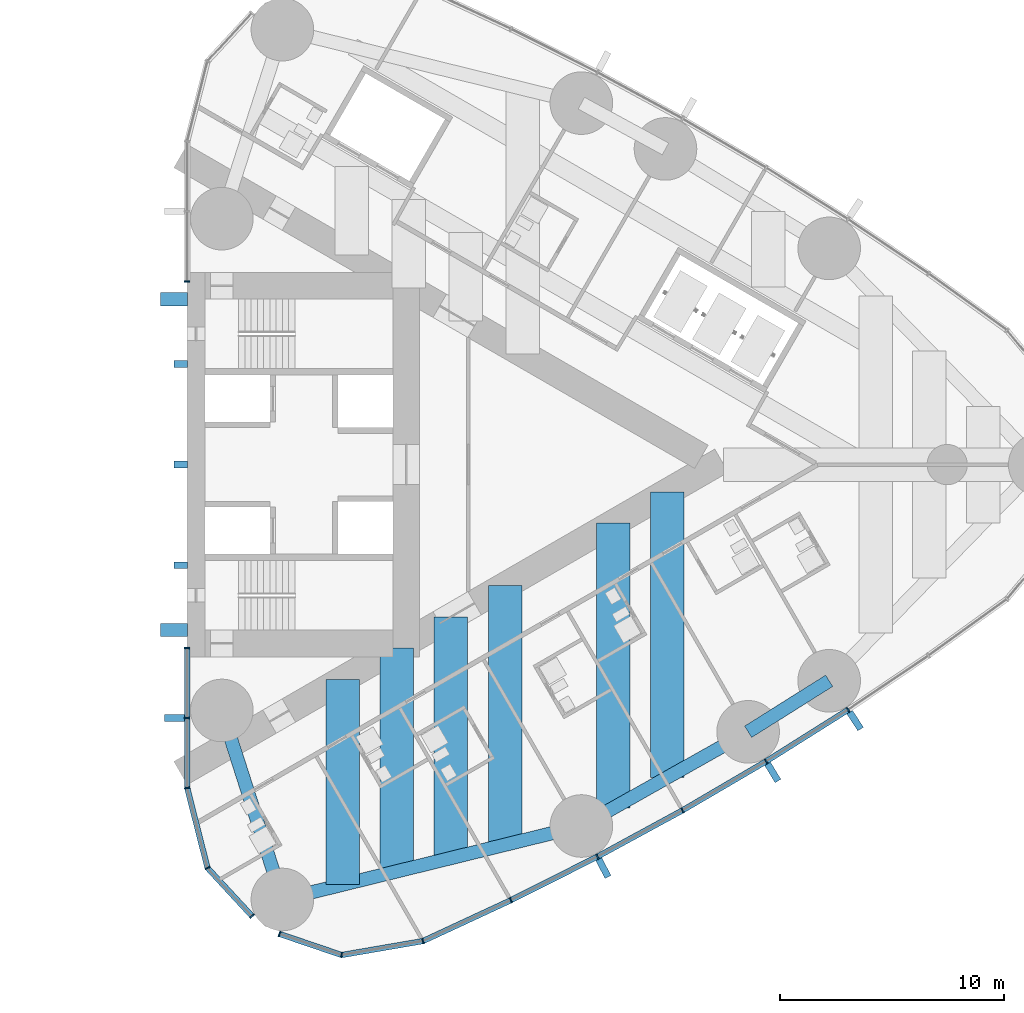
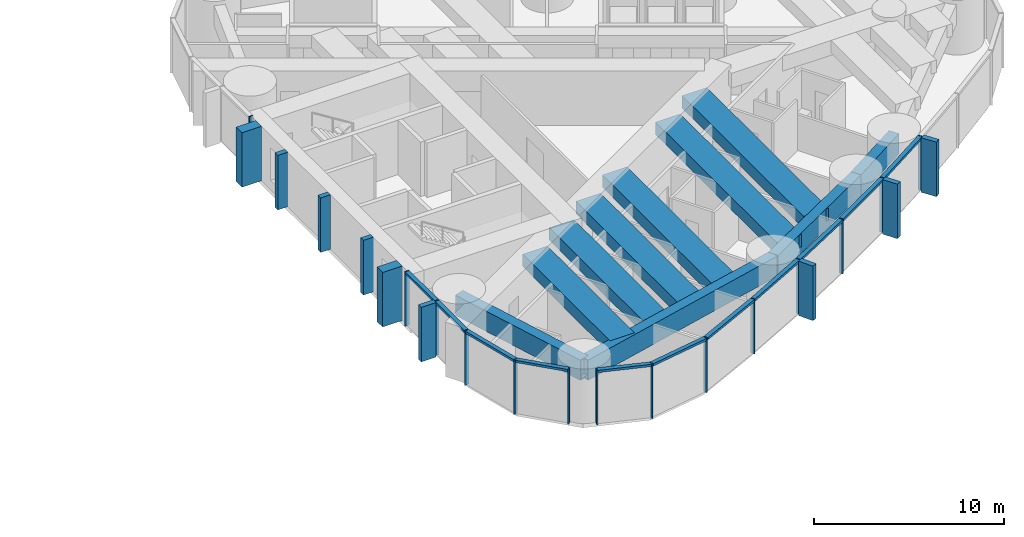
# One storey, part 6 of 21: 34 members, 10 beams, 3 elements without a shape of their own.
"""IFC4 building model written with IfcOpenShell, lengths in metres."""

from ifc_helpers import new_model, si_unit, direction, frame, origin, origin_2d, place, context, subcontext, project, spatial, rectangle, hollow_rectangle, extrude, material, material_profile, profile_set, type_object, element, aggregate, save


model = new_model("IFC4")

# Units and contexts
model_context = context("Model", 3, precision=1e-05, world=origin(), true_north=direction((0.0, 1.0)))
body_context = subcontext(model_context, "Body", "Model", "MODEL_VIEW")
ifc_project = project(units=[si_unit("LENGTHUNIT", "METRE"), si_unit("AREAUNIT", "SQUARE_METRE"), si_unit("VOLUMEUNIT", "CUBIC_METRE"), si_unit("PLANEANGLEUNIT", "RADIAN"), si_unit("MASSUNIT", "GRAM", prefix="KILO")], contexts=[model_context])

# Site, building, storey
site_placement = place(None, origin())
site = spatial("IfcSite", under=ifc_project, at=site_placement, CompositionType="ELEMENT")
building_placement = place(site_placement, origin())
building = spatial("IfcBuilding", under=site, at=building_placement, Name="Lancet Gate Hotel", CompositionType="ELEMENT")
storey_placement = place(building_placement, frame((0.0, 0.0, 156.300048828125)))
storey = spatial("IfcBuildingStorey", under=building, at=storey_placement, Name="L41", CompositionType="ELEMENT", Elevation=156.300048828125)

# Curtain wall, members
ifc_material_1 = material(Name="Aluminium curtain wall", Category="aluminium")
curtain_wall_type = type_object("IfcCurtainWallType", Name="Tower unitised curtain wall", PredefinedType="USERDEFINED", material=ifc_material_1)
curtain_wall_1_placement = place(storey_placement, origin())
curtain_wall_1 = element("IfcCurtainWall", 1, at=curtain_wall_1_placement, inside=storey, type_object=curtain_wall_type, Name="T2 L41 curtain wall 1", ObjectType="UNITISED CURTAIN WALL", PredefinedType="USERDEFINED")
ifc_material_2 = material(Name="Aluminium mullion", Category="aluminium")
ifc_material_profile_1 = material_profile(ifc_material_2, rectangle(XDim=0.06494140625, YDim=0.25, at=origin_2d()), Name="MULLION 65x250")
ifc_profile_set_1 = profile_set([ifc_material_profile_1], Name="Aluminium mullion")
member_type_1 = type_object("IfcMemberType", Name="Aluminium mullion 65x250", PredefinedType="MULLION", material=ifc_profile_set_1)
member_1_placement = place(storey_placement, frame((27.5, -8.199951171875, 0.0), z_axis=(0.0, 0.0, 1.0), x_axis=(0.0, -1.0, 0.0)))
member_1 = element("IfcMember", 2, at=member_1_placement, type_object=member_type_1, Name="T2 L41 curtain wall 1 mullion 1", PredefinedType="MULLION", context=body_context, shape_type="SweptSolid", body=[
    extrude(rectangle(XDim=0.06494140625, YDim=0.25, at=origin_2d()), origin(), (0.0, 0.0, 1.0), 3.5),
])
member_2_placement = place(storey_placement, frame((27.5, -11.332763671875, 0.0), z_axis=(0.0, 0.0, 1.0), x_axis=(0.0, -1.0, 0.0)))
member_2 = element("IfcMember", 3, at=member_2_placement, type_object=member_type_1, Name="T2 L41 curtain wall 1 mullion 2", PredefinedType="MULLION", context=body_context, shape_type="SweptSolid", body=[
    extrude(rectangle(XDim=0.06494140625, YDim=0.25, at=origin_2d()), origin(), (0.0, 0.0, 1.0), 3.5),
])
member_3_placement = place(storey_placement, frame((27.5, -14.465576171875, 0.0), z_axis=(0.0, 0.0, 1.0), x_axis=(0.134206524909, -0.990953383703, 0.0)))
member_3 = element("IfcMember", 4, at=member_3_placement, type_object=member_type_1, Name="T2 L41 curtain wall 1 mullion 3", PredefinedType="MULLION", context=body_context, shape_type="SweptSolid", body=[
    extrude(rectangle(XDim=0.06494140625, YDim=0.25, at=origin_2d()), origin(), (0.0, 0.0, 1.0), 3.5),
])
member_4_placement = place(storey_placement, frame((28.408935546875, -18.04443359375, 0.0), z_axis=(0.0, 0.0, 1.0), x_axis=(0.451505925065, -0.892268120932, 0.0)))
member_4 = element("IfcMember", 5, at=member_4_placement, type_object=member_type_1, Name="T2 L41 curtain wall 1 mullion 4", PredefinedType="MULLION", context=body_context, shape_type="SweptSolid", body=[
    extrude(rectangle(XDim=0.06494140625, YDim=0.25, at=origin_2d()), origin(), (0.0, 0.0, 1.0), 3.5),
])
member_5_placement = place(storey_placement, frame((30.40185546875, -20.199951171875, 0.0), z_axis=(0.0, 0.0, 1.0), x_axis=(0.67883123083, -0.734294327943, 0.0)))
member_5 = element("IfcMember", 6, at=member_5_placement, type_object=member_type_1, Name="T2 L41 curtain wall 1 mullion 5", PredefinedType="MULLION", context=body_context, shape_type="SweptSolid", body=[
    extrude(rectangle(XDim=0.06494140625, YDim=0.25, at=origin_2d()), origin(), (0.0, 0.0, 1.0), 3.5),
])

curtain_wall_2_placement = place(storey_placement, origin())
curtain_wall_2 = element("IfcCurtainWall", 7, at=curtain_wall_2_placement, inside=storey, type_object=curtain_wall_type, Name="T2 L41 curtain wall 2", ObjectType="UNITISED CURTAIN WALL", PredefinedType="USERDEFINED")
member_6_placement = place(storey_placement, frame((31.631591796875, -20.998779296875, 0.0), z_axis=(0.0, 0.0, 1.0), x_axis=(0.946952368511, -0.321373943827, 0.0)))
member_6 = element("IfcMember", 8, at=member_6_placement, type_object=member_type_1, Name="T2 L41 curtain wall 2 mullion 1", PredefinedType="MULLION", context=body_context, shape_type="SweptSolid", body=[
    extrude(rectangle(XDim=0.06494140625, YDim=0.25, at=origin_2d()), origin(), (0.0, 0.0, 1.0), 3.5),
])
member_7_placement = place(storey_placement, frame((34.412109375, -21.9423828125, 0.0), z_axis=(0.0, 0.0, 1.0), x_axis=(0.99877556888, -0.049470829879, 0.0)))
member_7 = element("IfcMember", 9, at=member_7_placement, type_object=member_type_1, Name="T2 L41 curtain wall 2 mullion 2", PredefinedType="MULLION", context=body_context, shape_type="SweptSolid", body=[
    extrude(rectangle(XDim=0.06494140625, YDim=0.25, at=origin_2d()), origin(), (0.0, 0.0, 1.0), 3.5),
])
member_8_placement = place(storey_placement, frame((38.05126953125, -21.31689453125, 0.0), z_axis=(0.0, 0.0, 1.0), x_axis=(0.951355493327, 0.308095318555, 0.0)))
member_8 = element("IfcMember", 10, at=member_8_placement, type_object=member_type_1, Name="T2 L41 curtain wall 2 mullion 3", PredefinedType="MULLION", context=body_context, shape_type="SweptSolid", body=[
    extrude(rectangle(XDim=0.06494140625, YDim=0.25, at=origin_2d()), origin(), (0.0, 0.0, 1.0), 3.5),
])
member_9_placement = place(storey_placement, frame((41.98193359375, -19.490966796875, 0.0), z_axis=(0.0, 0.0, 1.0), x_axis=(0.900141333422, 0.435597956681, 0.0)))
member_9 = element("IfcMember", 11, at=member_9_placement, type_object=member_type_1, Name="T2 L41 curtain wall 2 mullion 4", PredefinedType="MULLION", context=body_context, shape_type="SweptSolid", body=[
    extrude(rectangle(XDim=0.06494140625, YDim=0.25, at=origin_2d()), origin(), (0.0, 0.0, 1.0), 3.5),
])
member_10_placement = place(storey_placement, frame((45.8525390625, -17.54150390625, 0.0), z_axis=(0.0, 0.0, 1.0), x_axis=(0.885877049989, 0.463920092584, 0.0)))
member_10 = element("IfcMember", 12, at=member_10_placement, type_object=member_type_1, Name="T2 L41 curtain wall 2 mullion 5", PredefinedType="MULLION", context=body_context, shape_type="SweptSolid", body=[
    extrude(rectangle(XDim=0.06494140625, YDim=0.25, at=origin_2d()), origin(), (0.0, 0.0, 1.0), 3.5),
])
member_11_placement = place(storey_placement, frame((49.65966796875, -15.47021484375, 0.0), z_axis=(0.0, 0.0, 1.0), x_axis=(0.870721916932, 0.491775704336, 0.0)))
member_11 = element("IfcMember", 13, at=member_11_placement, type_object=member_type_1, Name="T2 L41 curtain wall 2 mullion 6", PredefinedType="MULLION", context=body_context, shape_type="SweptSolid", body=[
    extrude(rectangle(XDim=0.06494140625, YDim=0.25, at=origin_2d()), origin(), (0.0, 0.0, 1.0), 3.5),
])
member_12_placement = place(storey_placement, frame((53.39892578125, -13.279541015625, 0.0), z_axis=(0.0, 0.0, 1.0), x_axis=(0.854691174453, 0.519136779965, 0.0)))
member_12 = element("IfcMember", 14, at=member_12_placement, type_object=member_type_1, Name="T2 L41 curtain wall 2 mullion 7", PredefinedType="MULLION", context=body_context, shape_type="SweptSolid", body=[
    extrude(rectangle(XDim=0.06494140625, YDim=0.25, at=origin_2d()), origin(), (0.0, 0.0, 1.0), 3.5),
])
member_13_placement = place(storey_placement, frame((57.067138671875, -10.970947265625, 0.0), z_axis=(0.0, 0.0, 1.0), x_axis=(0.837800943278, 0.545975804815, 0.0)))
member_13 = element("IfcMember", 15, at=member_13_placement, type_object=member_type_1, Name="T2 L41 curtain wall 2 mullion 8", PredefinedType="MULLION", context=body_context, shape_type="SweptSolid", body=[
    extrude(rectangle(XDim=0.06494140625, YDim=0.25, at=origin_2d()), origin(), (0.0, 0.0, 1.0), 3.5),
])

# Curtain wall, member
curtain_wall_3_placement = place(storey_placement, origin())
curtain_wall_3 = element("IfcCurtainWall", 16, at=curtain_wall_3_placement, inside=storey, type_object=curtain_wall_type, Name="T2 L41 curtain wall 4", ObjectType="UNITISED CURTAIN WALL", PredefinedType="USERDEFINED")
member_14_placement = place(storey_placement, frame((27.5, 8.199951171875, 0.0), z_axis=(0.0, 0.0, 1.0), x_axis=(0.0, -1.0, 0.0)))
member_14 = element("IfcMember", 17, at=member_14_placement, type_object=member_type_1, Name="T2 L41 curtain wall 4 mullion 5", PredefinedType="MULLION", context=body_context, shape_type="SweptSolid", body=[
    extrude(rectangle(XDim=0.06494140625, YDim=0.25, at=origin_2d()), origin(), (0.0, 0.0, 1.0), 3.5),
])
aggregate(curtain_wall_3, [member_14])

# Member
ifc_material_3 = material(Name="Aluminium transom", Category="aluminium")
ifc_material_profile_2 = material_profile(ifc_material_3, rectangle(XDim=0.25, YDim=0.14990234375, at=origin_2d()), Name="TRANSOM 250x150")
ifc_profile_set_2 = profile_set([ifc_material_profile_2], Name="Aluminium transom")
member_type_2 = type_object("IfcMemberType", Name="Aluminium transom 250x150", PredefinedType="USERDEFINED", material=ifc_profile_set_2)
member_15_placement = place(storey_placement, frame((27.5, -8.232421875, 3.425048828125), z_axis=(0.0, -1.0, 0.0), x_axis=(1.0, 0.0, 0.0)))
member_15 = element("IfcMember", 18, at=member_15_placement, type_object=member_type_2, Name="T2 L41 curtain wall 1 transom 1", ObjectType="TRANSOM", PredefinedType="USERDEFINED", context=body_context, shape_type="SweptSolid", body=[
    extrude(rectangle(XDim=0.25, YDim=0.14990234375, at=origin_2d()), origin(), (0.0, 0.0, 1.0), 3.06787109375),
])

member_16_placement = place(storey_placement, frame((27.5, -11.365234375, 3.425048828125), z_axis=(0.0, -1.0, 0.0), x_axis=(1.0, 0.0, 0.0)))
member_16 = element("IfcMember", 19, at=member_16_placement, type_object=member_type_2, Name="T2 L41 curtain wall 1 transom 2", ObjectType="TRANSOM", PredefinedType="USERDEFINED", context=body_context, shape_type="SweptSolid", body=[
    extrude(rectangle(XDim=0.25, YDim=0.14990234375, at=origin_2d()), origin(), (0.0, 0.0, 1.0), 3.06787109375),
])

member_17_placement = place(storey_placement, frame((27.508056640625, -14.4970703125, 3.425048828125), z_axis=(0.246128756616, -0.969237140831, 0.0), x_axis=(0.969237140831, 0.246128756616, 0.0)))
member_17 = element("IfcMember", 20, at=member_17_placement, type_object=member_type_2, Name="T2 L41 curtain wall 1 transom 3", ObjectType="TRANSOM", PredefinedType="USERDEFINED", context=body_context, shape_type="SweptSolid", body=[
    extrude(rectangle(XDim=0.25, YDim=0.14990234375, at=origin_2d()), origin(), (0.0, 0.0, 1.0), 3.62744140625),
])

member_18_placement = place(storey_placement, frame((28.43115234375, -18.068359375, 3.425048828125), z_axis=(0.678792146129, -0.734330458549, 0.0), x_axis=(0.734330458549, 0.678792146129, 0.0)))
member_18 = element("IfcMember", 21, at=member_18_placement, type_object=member_type_2, Name="T2 L41 curtain wall 1 transom 4", ObjectType="TRANSOM", PredefinedType="USERDEFINED", context=body_context, shape_type="SweptSolid", body=[
    extrude(rectangle(XDim=0.25, YDim=0.14990234375, at=origin_2d()), origin(), (0.0, 0.0, 1.0), 2.87060546875),
])

member_19_placement = place(storey_placement, frame((31.662353515625, -21.00927734375, 3.425048828125), z_axis=(0.946943122832, -0.321401185625, 0.0), x_axis=(0.321401185625, 0.946943122832, 0.0)))
member_19 = element("IfcMember", 22, at=member_19_placement, type_object=member_type_2, Name="T2 L41 curtain wall 2 transom 1", ObjectType="TRANSOM", PredefinedType="USERDEFINED", context=body_context, shape_type="SweptSolid", body=[
    extrude(rectangle(XDim=0.25, YDim=0.14990234375, at=origin_2d()), origin(), (0.0, 0.0, 1.0), 2.871337890625),
])

member_20_placement = place(storey_placement, frame((34.444091796875, -21.93701171875, 3.425048828125), z_axis=(0.985536950873, 0.169460669373, 0.0), x_axis=(-0.169460669373, 0.985536950873, 0.0)))
member_20 = element("IfcMember", 23, at=member_20_placement, type_object=member_type_2, Name="T2 L41 curtain wall 2 transom 2", ObjectType="TRANSOM", PredefinedType="USERDEFINED", context=body_context, shape_type="SweptSolid", body=[
    extrude(rectangle(XDim=0.25, YDim=0.14990234375, at=origin_2d()), origin(), (0.0, 0.0, 1.0), 3.627685546875),
])

member_21_placement = place(storey_placement, frame((38.080810546875, -21.30322265625, 3.425048828125), z_axis=(0.906913768492, 0.421316290357, 0.0), x_axis=(-0.421316290357, 0.906913768492, 0.0)))
member_21 = element("IfcMember", 24, at=member_21_placement, type_object=member_type_2, Name="T2 L41 curtain wall 2 transom 3", ObjectType="TRANSOM", PredefinedType="USERDEFINED", context=body_context, shape_type="SweptSolid", body=[
    extrude(rectangle(XDim=0.25, YDim=0.14990234375, at=origin_2d()), origin(), (0.0, 0.0, 1.0), 4.26904296875),
])

member_22_placement = place(storey_placement, frame((42.010986328125, -19.476318359375, 3.425048828125), z_axis=(0.893130969207, 0.449796700571, 0.0), x_axis=(-0.449796700571, 0.893130969207, 0.0)))
member_22 = element("IfcMember", 25, at=member_22_placement, type_object=member_type_2, Name="T2 L41 curtain wall 2 transom 4", ObjectType="TRANSOM", PredefinedType="USERDEFINED", context=body_context, shape_type="SweptSolid", body=[
    extrude(rectangle(XDim=0.25, YDim=0.14990234375, at=origin_2d()), origin(), (0.0, 0.0, 1.0), 4.26904296875),
])

member_23_placement = place(storey_placement, frame((45.881103515625, -17.526123046875, 3.425048828125), z_axis=(0.878404302735, 0.477918278513, 0.0), x_axis=(-0.477918278513, 0.878404302735, 0.0)))
member_23 = element("IfcMember", 26, at=member_23_placement, type_object=member_type_2, Name="T2 L41 curtain wall 2 transom 5", ObjectType="TRANSOM", PredefinedType="USERDEFINED", context=body_context, shape_type="SweptSolid", body=[
    extrude(rectangle(XDim=0.25, YDim=0.14990234375, at=origin_2d()), origin(), (0.0, 0.0, 1.0), 4.26904296875),
])

member_24_placement = place(storey_placement, frame((49.687744140625, -15.453857421875, 3.425048828125), z_axis=(0.862825279032, 0.505502262966, 0.0), x_axis=(-0.505502262966, 0.862825279032, 0.0)))
member_24 = element("IfcMember", 27, at=member_24_placement, type_object=member_type_2, Name="T2 L41 curtain wall 2 transom 6", ObjectType="TRANSOM", PredefinedType="USERDEFINED", context=body_context, shape_type="SweptSolid", body=[
    extrude(rectangle(XDim=0.25, YDim=0.14990234375, at=origin_2d()), origin(), (0.0, 0.0, 1.0), 4.26904296875),
])

member_25_placement = place(storey_placement, frame((53.426513671875, -13.26220703125, 3.425048828125), z_axis=(0.846333101657, 0.532653997488, 0.0), x_axis=(-0.532653997488, 0.846333101657, 0.0)))
member_25 = element("IfcMember", 28, at=member_25_placement, type_object=member_type_2, Name="T2 L41 curtain wall 2 transom 7", ObjectType="TRANSOM", PredefinedType="USERDEFINED", context=body_context, shape_type="SweptSolid", body=[
    extrude(rectangle(XDim=0.25, YDim=0.14990234375, at=origin_2d()), origin(), (0.0, 0.0, 1.0), 4.26904296875),
])

# Beams
ifc_material_4 = material(Name="Steel S460QL", Category="steel")
ifc_material_profile_3 = material_profile(ifc_material_4, hollow_rectangle(XDim=0.60009765625, YDim=1.300048828125, WallThickness=0.050048828125, at=origin_2d()), Name="BOX 1300x600x50")
ifc_profile_set_3 = profile_set([ifc_material_profile_3], Name="Steel S460QL")
beam_type_1 = type_object("IfcBeamType", Name="Edge beam BOX 1300x600x50", PredefinedType="SPANDREL", material=ifc_profile_set_3)
beam_1_placement = place(storey_placement, frame((31.759765625, -19.455810546875, 2.599853515625), z_axis=(0.971093253227, 0.238700426344, 0.0), x_axis=(-0.238700426344, 0.971093253227, 0.0)))
element("IfcBeam", 29, at=beam_1_placement, inside=storey, type_object=beam_type_1, Name="T2 edge beam EB2 L41", PredefinedType="SPANDREL", context=body_context, shape_type="SweptSolid", body=[
    extrude(hollow_rectangle(XDim=0.60009765625, YDim=1.300048828125, WallThickness=0.050048828125, at=origin_2d()), origin(), (0.0, 0.0, 1.0), 13.77197265625),
])
beam_2_placement = place(storey_placement, frame((45.133544921875, -16.16845703125, 2.599853515625), z_axis=(0.870721990329, 0.491775574381, 0.0), x_axis=(-0.491775574381, 0.870721990329, 0.0)))
element("IfcBeam", 30, at=beam_2_placement, inside=storey, type_object=beam_type_1, Name="T2 edge beam EB2 L41", PredefinedType="SPANDREL", context=body_context, shape_type="SweptSolid", body=[
    extrude(hollow_rectangle(XDim=0.60009765625, YDim=1.300048828125, WallThickness=0.050048828125, at=origin_2d()), origin(), (0.0, 0.0, 1.0), 8.568603515625),
])
beam_3_placement = place(storey_placement, frame((52.594482421875, -11.95458984375, 2.599853515625), z_axis=(0.846348902569, 0.532628890617, 0.0), x_axis=(-0.532628890617, 0.846348902569, 0.0)))
element("IfcBeam", 31, at=beam_3_placement, inside=storey, type_object=beam_type_1, Name="T2 edge beam EB2 L41", PredefinedType="SPANDREL", context=body_context, shape_type="SweptSolid", body=[
    extrude(hollow_rectangle(XDim=0.60009765625, YDim=1.300048828125, WallThickness=0.050048828125, at=origin_2d()), origin(), (0.0, 0.0, 1.0), 4.284912109375),
])
beam_4_placement = place(storey_placement, frame((31.759765625, -19.455810546875, 2.599853515625), z_axis=(-0.305169772986, 0.952297962644, 0.0), x_axis=(-0.952297962644, -0.305169772986, 0.0)))
element("IfcBeam", 32, at=beam_4_placement, inside=storey, type_object=beam_type_1, Name="T2 edge beam EB2 L41", PredefinedType="SPANDREL", context=body_context, shape_type="SweptSolid", body=[
    extrude(hollow_rectangle(XDim=0.60009765625, YDim=1.300048828125, WallThickness=0.050048828125, at=origin_2d()), origin(), (0.0, 0.0, 1.0), 8.87939453125),
])

# Members
ifc_material_5 = material(Name="Concrete C60/75", Category="concrete")
ifc_material_profile_4 = material_profile(ifc_material_5, rectangle(XDim=0.60009765625, YDim=1.199951171875, at=origin_2d()), Name="FIN 600x1200")
ifc_profile_set_4 = profile_set([ifc_material_profile_4], Name="Concrete C60/75")
member_type_3 = type_object("IfcMemberType", Name="Exposed concrete buttress pilaster 600x1200", PredefinedType="USERDEFINED", material=ifc_profile_set_4)
for number, where, z_axis, x_axis, name in (
    (33, (26.909912109375, -7.39990234375, 0.0), (0.0, 0.0, 1.0), (0.0, 1.0, 0.0), "T2 buttress pilaster S L41"),
    (34, (26.909912109375, 7.39990234375, 0.0), (0.0, 0.0, 1.0), (0.0, 1.0, 0.0), "T2 buttress pilaster N L41"),
):
    element("IfcMember", number, at=place(storey_placement, frame(where, z_axis=z_axis, x_axis=x_axis)), inside=storey, type_object=member_type_3, Name=name, ObjectType="FIN", PredefinedType="USERDEFINED", context=body_context, shape_type="SweptSolid", body=[
        extrude(rectangle(XDim=0.60009765625, YDim=1.199951171875, at=origin_2d()), origin(), (0.0, 0.0, 1.0), 3.5),
    ])

# Member
ifc_material_6 = material(Name="Precast concrete C50/60", Category="concrete")
ifc_material_profile_5 = material_profile(ifc_material_6, rectangle(XDim=0.300048828125, YDim=0.89990234375, at=origin_2d()), Name="FIN 300x900")
ifc_profile_set_5 = profile_set([ifc_material_profile_5], Name="Precast concrete C50/60")
member_type_4 = type_object("IfcMemberType", Name="Exposed concrete fin 300x900", PredefinedType="USERDEFINED", material=ifc_profile_set_5)
member_26_placement = place(storey_placement, frame((26.925048828125, -11.332763671875, 0.0), z_axis=(0.0, 0.0, 1.0), x_axis=(0.0, -1.0, 0.0)))
member_26 = element("IfcMember", 35, at=member_26_placement, type_object=member_type_4, Name="T2 L41 curtain wall 1 fin 2", ObjectType="FIN", PredefinedType="USERDEFINED", context=body_context, shape_type="SweptSolid", body=[
    extrude(rectangle(XDim=0.300048828125, YDim=0.89990234375, at=origin_2d()), origin(), (0.0, 0.0, 1.0), 3.5),
])

aggregate(curtain_wall_1, [member_1, member_2, member_26, member_3, member_4, member_5, member_15, member_16, member_17, member_18])

member_27_placement = place(storey_placement, frame((46.119384765625, -18.051025390625, 0.0), z_axis=(0.0, 0.0, 1.0), x_axis=(0.885877049989, 0.463920092584, 0.0)))
member_27 = element("IfcMember", 36, at=member_27_placement, type_object=member_type_4, Name="T2 L41 curtain wall 2 fin 5", ObjectType="FIN", PredefinedType="USERDEFINED", context=body_context, shape_type="SweptSolid", body=[
    extrude(rectangle(XDim=0.300048828125, YDim=0.89990234375, at=origin_2d()), origin(), (0.0, 0.0, 1.0), 3.5),
])

member_28_placement = place(storey_placement, frame((53.697509765625, -13.770751953125, 0.0), z_axis=(0.0, 0.0, 1.0), x_axis=(0.854691174453, 0.519136779965, 0.0)))
member_28 = element("IfcMember", 37, at=member_28_placement, type_object=member_type_4, Name="T2 L41 curtain wall 2 fin 7", ObjectType="FIN", PredefinedType="USERDEFINED", context=body_context, shape_type="SweptSolid", body=[
    extrude(rectangle(XDim=0.300048828125, YDim=0.89990234375, at=origin_2d()), origin(), (0.0, 0.0, 1.0), 3.5),
])

member_29_placement = place(storey_placement, frame((57.381103515625, -11.452880859375, 0.0), z_axis=(0.0, 0.0, 1.0), x_axis=(0.837800943278, 0.545975804815, 0.0)))
member_29 = element("IfcMember", 38, at=member_29_placement, type_object=member_type_4, Name="T2 L41 curtain wall 2 fin 8", ObjectType="FIN", PredefinedType="USERDEFINED", context=body_context, shape_type="SweptSolid", body=[
    extrude(rectangle(XDim=0.300048828125, YDim=0.89990234375, at=origin_2d()), origin(), (0.0, 0.0, 1.0), 3.5),
])

aggregate(curtain_wall_2, [member_6, member_7, member_8, member_9, member_10, member_27, member_11, member_12, member_28, member_13, member_29, member_19, member_20, member_21, member_22, member_23, member_24, member_25])

# Members
ifc_material_7 = material(Name="Concrete C60/75", Category="concrete")
ifc_material_profile_6 = material_profile(ifc_material_7, rectangle(XDim=0.300048828125, YDim=0.60009765625, at=origin_2d()), Name="FIN 300x600")
ifc_profile_set_6 = profile_set([ifc_material_profile_6], Name="Concrete C60/75")
member_type_5 = type_object("IfcMemberType", Name="Exposed concrete rib 300x600", PredefinedType="USERDEFINED", material=ifc_profile_set_6)
for number, where, z_axis, x_axis, name in (
    (39, (27.2099609375, -4.5, 0.0), (0.0, 0.0, 1.0), (0.0, 1.0, 0.0), "T2 core rib 1 L41"),
    (40, (27.2099609375, 0.0, 0.0), (0.0, 0.0, 1.0), (0.0, 1.0, 0.0), "T2 core rib 2 L41"),
    (41, (27.2099609375, 4.5, 0.0), (0.0, 0.0, 1.0), (0.0, 1.0, 0.0), "T2 core rib 3 L41"),
):
    element("IfcMember", number, at=place(storey_placement, frame(where, z_axis=z_axis, x_axis=x_axis)), inside=storey, type_object=member_type_5, Name=name, ObjectType="FIN", PredefinedType="USERDEFINED", context=body_context, shape_type="SweptSolid", body=[
        extrude(rectangle(XDim=0.300048828125, YDim=0.60009765625, at=origin_2d()), origin(), (0.0, 0.0, 1.0), 3.5),
    ])

# Beams
ifc_material_8 = material(Name="Concrete C50/60", Category="concrete")
ifc_material_profile_7 = material_profile(ifc_material_8, rectangle(XDim=1.5, YDim=0.800048828125, at=origin_2d()), Name="RC 1500x800")
ifc_profile_set_7 = profile_set([ifc_material_profile_7], Name="Concrete C50/60")
beam_type_2 = type_object("IfcBeamType", Name="Floor beam RC 1500x800", PredefinedType="BEAM", material=ifc_profile_set_7)
beam_5_placement = place(storey_placement, frame((34.460693359375, -18.7919921875, 2.849853515625), z_axis=(0.0, 1.0, 0.0), x_axis=(-1.0, 0.0, 0.0)))
element("IfcBeam", 42, at=beam_5_placement, inside=storey, type_object=beam_type_2, Name="T2 floor beam F01S L41", PredefinedType="BEAM", context=body_context, shape_type="SweptSolid", body=[
    extrude(rectangle(XDim=1.5, YDim=0.800048828125, at=origin_2d()), origin(), (0.0, 0.0, 1.0), 9.18408203125),
])
beam_6_placement = place(storey_placement, frame((36.880859375, -18.197021484375, 2.849853515625), z_axis=(0.0, 1.0, 0.0), x_axis=(-1.0, 0.0, 0.0)))
element("IfcBeam", 43, at=beam_6_placement, inside=storey, type_object=beam_type_2, Name="T2 floor beam F03S L41", PredefinedType="BEAM", context=body_context, shape_type="SweptSolid", body=[
    extrude(rectangle(XDim=1.5, YDim=0.800048828125, at=origin_2d()), origin(), (0.0, 0.0, 1.0), 9.986328125),
])
beam_7_placement = place(storey_placement, frame((39.301025390625, -17.60205078125, 2.849853515625), z_axis=(0.0, 1.0, 0.0), x_axis=(-1.0, 0.0, 0.0)))
element("IfcBeam", 44, at=beam_7_placement, inside=storey, type_object=beam_type_2, Name="T2 floor beam F05S L41", PredefinedType="BEAM", context=body_context, shape_type="SweptSolid", body=[
    extrude(rectangle(XDim=1.5, YDim=0.800048828125, at=origin_2d()), origin(), (0.0, 0.0, 1.0), 10.78857421875),
])
beam_8_placement = place(storey_placement, frame((41.721435546875, -17.007080078125, 2.849853515625), z_axis=(0.0, 1.0, 0.0), x_axis=(-1.0, 0.0, 0.0)))
element("IfcBeam", 45, at=beam_8_placement, inside=storey, type_object=beam_type_2, Name="T2 floor beam F07S L41", PredefinedType="BEAM", context=body_context, shape_type="SweptSolid", body=[
    extrude(rectangle(XDim=1.5, YDim=0.800048828125, at=origin_2d()), origin(), (0.0, 0.0, 1.0), 11.591064453125),
])
beam_9_placement = place(storey_placement, frame((46.561767578125, -15.36181640625, 2.849853515625), z_axis=(0.0, 1.0, 0.0), x_axis=(-1.0, 0.0, 0.0)))
element("IfcBeam", 46, at=beam_9_placement, inside=storey, type_object=beam_type_2, Name="T2 floor beam F09S L41", PredefinedType="BEAM", context=body_context, shape_type="SweptSolid", body=[
    extrude(rectangle(XDim=1.5, YDim=0.800048828125, at=origin_2d()), origin(), (0.0, 0.0, 1.0), 12.740478515625),
])
beam_10_placement = place(storey_placement, frame((48.98193359375, -13.994873046875, 2.849853515625), z_axis=(0.0, 1.0, 0.0), x_axis=(-1.0, 0.0, 0.0)))
element("IfcBeam", 47, at=beam_10_placement, inside=storey, type_object=beam_type_2, Name="T2 floor beam F10S L41", PredefinedType="BEAM", context=body_context, shape_type="SweptSolid", body=[
    extrude(rectangle(XDim=1.5, YDim=0.800048828125, at=origin_2d()), origin(), (0.0, 0.0, 1.0), 12.770751953125),
])

save(model, "model.ifc")
